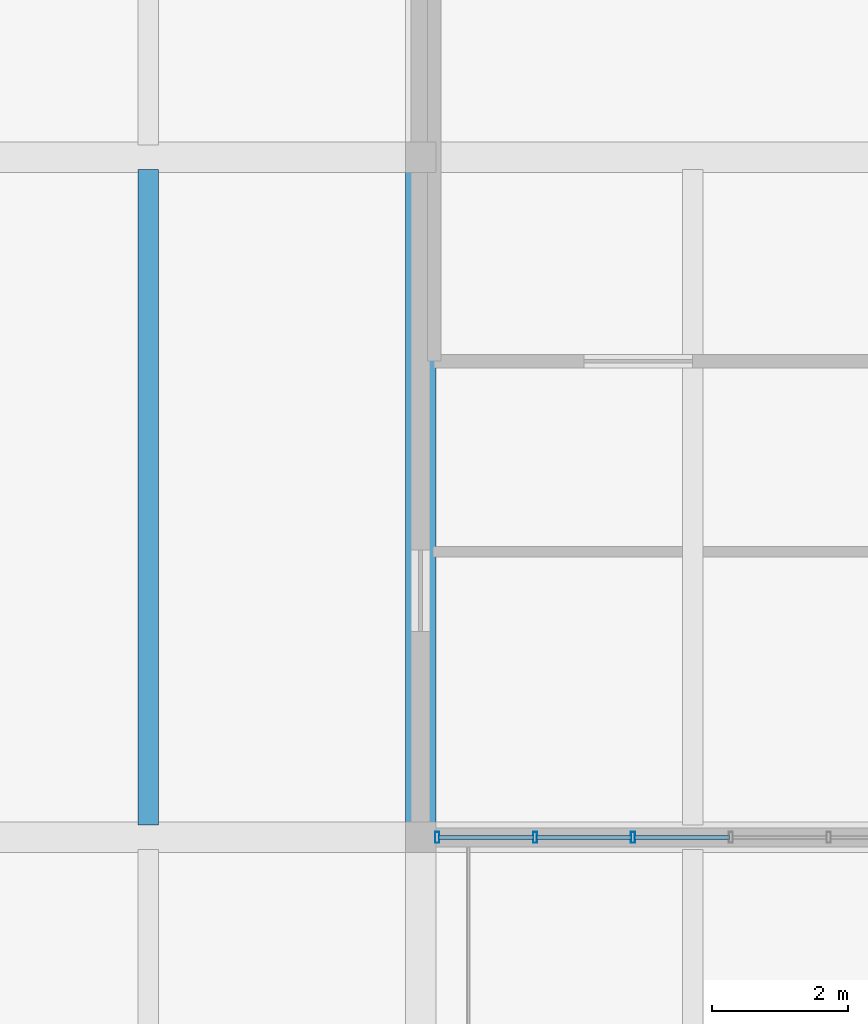
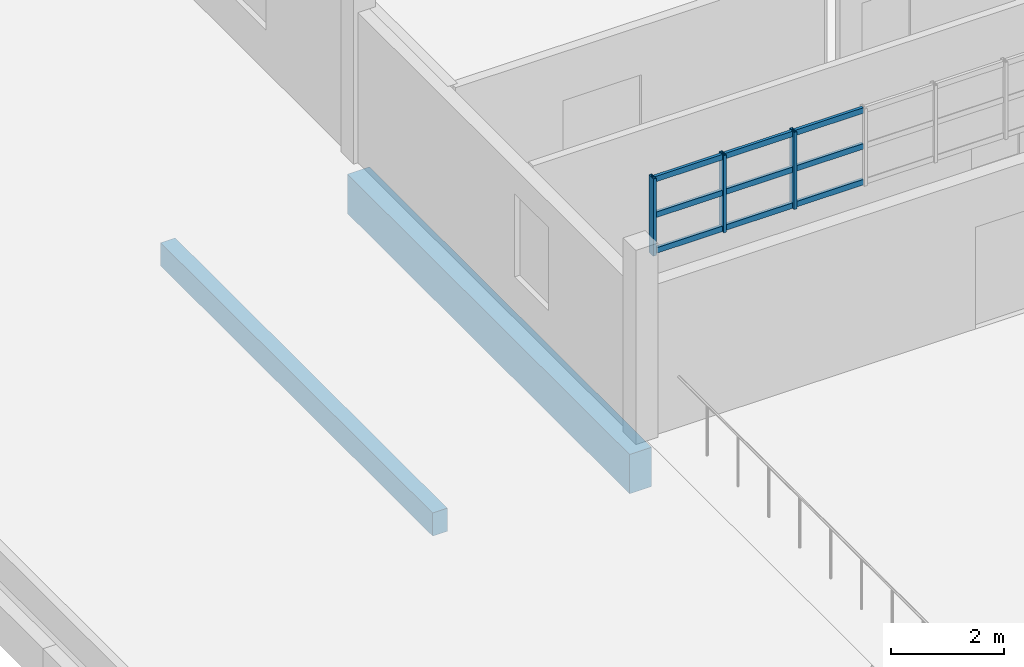
# One storey, part 4 of 36: 12 members, 2 beams, 1 element without a shape of its own.
"""IFC4 building model written with IfcOpenShell, lengths in metres."""

from ifc_helpers import new_model, si_unit, direction, frame, origin, origin_2d, place, context, subcontext, project, spatial, rectangle, hollow_rectangle, extrude, material, layer, layer_set, material_profile, profile_set, type_object, element, aggregate, save


model = new_model("IFC4")

# Units and contexts
model_context = context("Model", 3, precision=1e-05, world=origin(), true_north=direction((0.0, 1.0)))
body_context = subcontext(model_context, "Body", "Model", "MODEL_VIEW")
ifc_project = project(units=[si_unit("LENGTHUNIT", "METRE"), si_unit("AREAUNIT", "SQUARE_METRE"), si_unit("VOLUMEUNIT", "CUBIC_METRE"), si_unit("PLANEANGLEUNIT", "RADIAN"), si_unit("MASSUNIT", "GRAM", prefix="KILO")], contexts=[model_context])

# Site, building, storey
site_placement = place(None, origin())
site = spatial("IfcSite", under=ifc_project, at=site_placement, CompositionType="ELEMENT")
building_placement = place(site_placement, origin())
building = spatial("IfcBuilding", under=site, at=building_placement, Name="Mersad Railyard Sports Hall", CompositionType="ELEMENT")
storey_placement = place(building_placement, frame((0.0, 0.0, 21.60009765625)))
storey = spatial("IfcBuildingStorey", under=building, at=storey_placement, Name="L05", CompositionType="ELEMENT", Elevation=21.60009765625)

# Curtain wall, members
ifc_material_1 = material(Name="Aluminium 6063-T6", Category="aluminium")
ifc_layer = layer(ifc_material_1, 0.159912109375)
ifc_layer_set = layer_set([ifc_layer], Name="Aluminium 6063-T6")
curtain_wall_type = type_object("IfcCurtainWallType", Name="ARC-CW-CW48", PredefinedType="USERDEFINED", material=ifc_layer_set)
curtain_wall_placement = place(storey_placement, origin())
curtain_wall = element("IfcCurtainWall", 1, at=curtain_wall_placement, inside=storey, type_object=curtain_wall_type, Name="Curtain wall CW48-0128", ObjectType="CURTAIN WALL", PredefinedType="USERDEFINED")
ifc_material_profile_1 = material_profile(ifc_material_1, hollow_rectangle(XDim=0.06005859375, YDim=0.159912109375, WallThickness=0.00390625, at=origin_2d()), Name="AL MULLION 60x160x4")
ifc_profile_set_1 = profile_set([ifc_material_profile_1], Name="Aluminium 6063-T6")
member_type_1 = type_object("IfcMemberType", Name="ARC-CW-MUL01", PredefinedType="MULLION", material=ifc_profile_set_1)
member_1_placement = place(storey_placement, frame((70.12255859375, 95.0, 3.829833984375), z_axis=(0.0, 0.0, 1.0), x_axis=(1.0, 0.0, 0.0)))
member_1 = element("IfcMember", 2, at=member_1_placement, type_object=member_type_1, Name="CW48 Mullion 7", PredefinedType="MULLION", context=body_context, shape_type="SweptSolid", body=[
    extrude(hollow_rectangle(XDim=0.06005859375, YDim=0.159912109375, WallThickness=0.00390625, at=origin_2d()), origin(), (0.0, 0.0, 1.0), 1.670166015625),
])
member_2_placement = place(storey_placement, frame((68.683837890625, 95.0, 3.829833984375), z_axis=(0.0, 0.0, 1.0), x_axis=(1.0, 0.0, 0.0)))
member_2 = element("IfcMember", 3, at=member_2_placement, type_object=member_type_1, Name="CW48 Mullion 8", PredefinedType="MULLION", context=body_context, shape_type="SweptSolid", body=[
    extrude(hollow_rectangle(XDim=0.06005859375, YDim=0.159912109375, WallThickness=0.00390625, at=origin_2d()), origin(), (0.0, 0.0, 1.0), 1.670166015625),
])
member_3_placement = place(storey_placement, frame((67.2451171875, 95.0, 3.829833984375), z_axis=(0.0, 0.0, 1.0), x_axis=(1.0, 0.0, 0.0)))
member_3 = element("IfcMember", 4, at=member_3_placement, type_object=member_type_1, Name="CW48 Mullion 9", PredefinedType="MULLION", context=body_context, shape_type="SweptSolid", body=[
    extrude(hollow_rectangle(XDim=0.06005859375, YDim=0.159912109375, WallThickness=0.00390625, at=origin_2d()), origin(), (0.0, 0.0, 1.0), 1.670166015625),
])
ifc_material_profile_2 = material_profile(ifc_material_1, hollow_rectangle(XDim=0.06005859375, YDim=0.1201171875, WallThickness=0.00390625, at=origin_2d()), Name="AL TRANSOM 60x120x4")
ifc_profile_set_2 = profile_set([ifc_material_profile_2], Name="Aluminium 6063-T6")
member_type_2 = type_object("IfcMemberType", Name="ARC-CW-TRN01", PredefinedType="USERDEFINED", material=ifc_profile_set_2)
member_4_placement = place(storey_placement, frame((71.541259765625, 95.0, 3.889892578125), z_axis=(-1.0, 0.0, 0.0), x_axis=(0.0, -1.0, 0.0)))
member_4 = element("IfcMember", 5, at=member_4_placement, type_object=member_type_2, Name="CW48 Transom 1-6", ObjectType="TRANSOM", PredefinedType="USERDEFINED", context=body_context, shape_type="SweptSolid", body=[
    extrude(hollow_rectangle(XDim=0.06005859375, YDim=0.1201171875, WallThickness=0.00390625, at=origin_2d()), origin(), (0.0, 0.0, 1.0), 1.398681640625),
])
member_5_placement = place(storey_placement, frame((70.1025390625, 95.0, 3.889892578125), z_axis=(-1.0, 0.0, 0.0), x_axis=(0.0, -1.0, 0.0)))
member_5 = element("IfcMember", 6, at=member_5_placement, type_object=member_type_2, Name="CW48 Transom 1-7", ObjectType="TRANSOM", PredefinedType="USERDEFINED", context=body_context, shape_type="SweptSolid", body=[
    extrude(hollow_rectangle(XDim=0.06005859375, YDim=0.1201171875, WallThickness=0.00390625, at=origin_2d()), origin(), (0.0, 0.0, 1.0), 1.398681640625),
])
member_6_placement = place(storey_placement, frame((68.663818359375, 95.0, 3.889892578125), z_axis=(-1.0, 0.0, 0.0), x_axis=(0.0, -1.0, 0.0)))
member_6 = element("IfcMember", 7, at=member_6_placement, type_object=member_type_2, Name="CW48 Transom 1-8", ObjectType="TRANSOM", PredefinedType="USERDEFINED", context=body_context, shape_type="SweptSolid", body=[
    extrude(hollow_rectangle(XDim=0.06005859375, YDim=0.1201171875, WallThickness=0.00390625, at=origin_2d()), origin(), (0.0, 0.0, 1.0), 1.39892578125),
])
member_7_placement = place(storey_placement, frame((71.541259765625, 95.0, 4.664794921875), z_axis=(-1.0, 0.0, 0.0), x_axis=(0.0, -1.0, 0.0)))
member_7 = element("IfcMember", 8, at=member_7_placement, type_object=member_type_2, Name="CW48 Transom 2-6", ObjectType="TRANSOM", PredefinedType="USERDEFINED", context=body_context, shape_type="SweptSolid", body=[
    extrude(hollow_rectangle(XDim=0.06005859375, YDim=0.1201171875, WallThickness=0.00390625, at=origin_2d()), origin(), (0.0, 0.0, 1.0), 1.398681640625),
])
member_8_placement = place(storey_placement, frame((70.1025390625, 95.0, 4.664794921875), z_axis=(-1.0, 0.0, 0.0), x_axis=(0.0, -1.0, 0.0)))
member_8 = element("IfcMember", 9, at=member_8_placement, type_object=member_type_2, Name="CW48 Transom 2-7", ObjectType="TRANSOM", PredefinedType="USERDEFINED", context=body_context, shape_type="SweptSolid", body=[
    extrude(hollow_rectangle(XDim=0.06005859375, YDim=0.1201171875, WallThickness=0.00390625, at=origin_2d()), origin(), (0.0, 0.0, 1.0), 1.398681640625),
])
member_9_placement = place(storey_placement, frame((68.663818359375, 95.0, 4.664794921875), z_axis=(-1.0, 0.0, 0.0), x_axis=(0.0, -1.0, 0.0)))
member_9 = element("IfcMember", 10, at=member_9_placement, type_object=member_type_2, Name="CW48 Transom 2-8", ObjectType="TRANSOM", PredefinedType="USERDEFINED", context=body_context, shape_type="SweptSolid", body=[
    extrude(hollow_rectangle(XDim=0.06005859375, YDim=0.1201171875, WallThickness=0.00390625, at=origin_2d()), origin(), (0.0, 0.0, 1.0), 1.39892578125),
])
member_10_placement = place(storey_placement, frame((71.541259765625, 95.0, 5.43994140625), z_axis=(-1.0, 0.0, 0.0), x_axis=(0.0, -1.0, 0.0)))
member_10 = element("IfcMember", 11, at=member_10_placement, type_object=member_type_2, Name="CW48 Transom 3-6", ObjectType="TRANSOM", PredefinedType="USERDEFINED", context=body_context, shape_type="SweptSolid", body=[
    extrude(hollow_rectangle(XDim=0.06005859375, YDim=0.1201171875, WallThickness=0.00390625, at=origin_2d()), origin(), (0.0, 0.0, 1.0), 1.398681640625),
])
member_11_placement = place(storey_placement, frame((70.1025390625, 95.0, 5.43994140625), z_axis=(-1.0, 0.0, 0.0), x_axis=(0.0, -1.0, 0.0)))
member_11 = element("IfcMember", 12, at=member_11_placement, type_object=member_type_2, Name="CW48 Transom 3-7", ObjectType="TRANSOM", PredefinedType="USERDEFINED", context=body_context, shape_type="SweptSolid", body=[
    extrude(hollow_rectangle(XDim=0.06005859375, YDim=0.1201171875, WallThickness=0.00390625, at=origin_2d()), origin(), (0.0, 0.0, 1.0), 1.398681640625),
])
member_12_placement = place(storey_placement, frame((68.663818359375, 95.0, 5.43994140625), z_axis=(-1.0, 0.0, 0.0), x_axis=(0.0, -1.0, 0.0)))
member_12 = element("IfcMember", 13, at=member_12_placement, type_object=member_type_2, Name="CW48 Transom 3-8", ObjectType="TRANSOM", PredefinedType="USERDEFINED", context=body_context, shape_type="SweptSolid", body=[
    extrude(hollow_rectangle(XDim=0.06005859375, YDim=0.1201171875, WallThickness=0.00390625, at=origin_2d()), origin(), (0.0, 0.0, 1.0), 1.39892578125),
])
aggregate(curtain_wall, [member_1, member_2, member_3, member_4, member_5, member_6, member_7, member_8, member_9, member_10, member_11, member_12])

# Beams
ifc_material_2 = material(Name="Concrete C40/50", Category="concrete")
ifc_material_profile_3 = material_profile(ifc_material_2, rectangle(XDim=0.449951171875, YDim=0.85009765625, at=origin_2d()), Name="RC 450x850")
ifc_profile_set_3 = profile_set([ifc_material_profile_3], Name="Concrete C40/50")
beam_type_1 = type_object("IfcBeamType", Name="STR-BM-B02", PredefinedType="BEAM", material=ifc_profile_set_3)
beam_1_placement = place(storey_placement, frame((67.0, 95.0, -0.775146484375), z_axis=(0.0, 1.0, 0.0), x_axis=(-1.0, 0.0, 0.0)))
element("IfcBeam", 14, at=beam_1_placement, inside=storey, type_object=beam_type_1, Name="Beam B02-1431", PredefinedType="BEAM", context=body_context, shape_type="SweptSolid", body=[
    extrude(rectangle(XDim=0.449951171875, YDim=0.85009765625, at=origin_2d()), origin(), (0.0, 0.0, 1.0), 10.0),
])
ifc_material_profile_4 = material_profile(ifc_material_2, rectangle(XDim=0.300048828125, YDim=0.5, at=origin_2d()), Name="RC 300x500")
ifc_profile_set_4 = profile_set([ifc_material_profile_4], Name="Concrete C40/50")
beam_type_2 = type_object("IfcBeamType", Name="STR-BM-LN01", PredefinedType="LINTEL", material=ifc_profile_set_4)
beam_2_placement = place(storey_placement, frame((63.0, 95.179931640625, -0.60009765625), z_axis=(0.0, 1.0, 0.0), x_axis=(-1.0, 0.0, 0.0)))
element("IfcBeam", 15, at=beam_2_placement, inside=storey, type_object=beam_type_2, Name="Beam LN01-1451", PredefinedType="LINTEL", context=body_context, shape_type="SweptSolid", body=[
    extrude(rectangle(XDim=0.300048828125, YDim=0.5, at=origin_2d()), origin(), (0.0, 0.0, 1.0), 9.64013671875),
])

save(model, "model.ifc")
